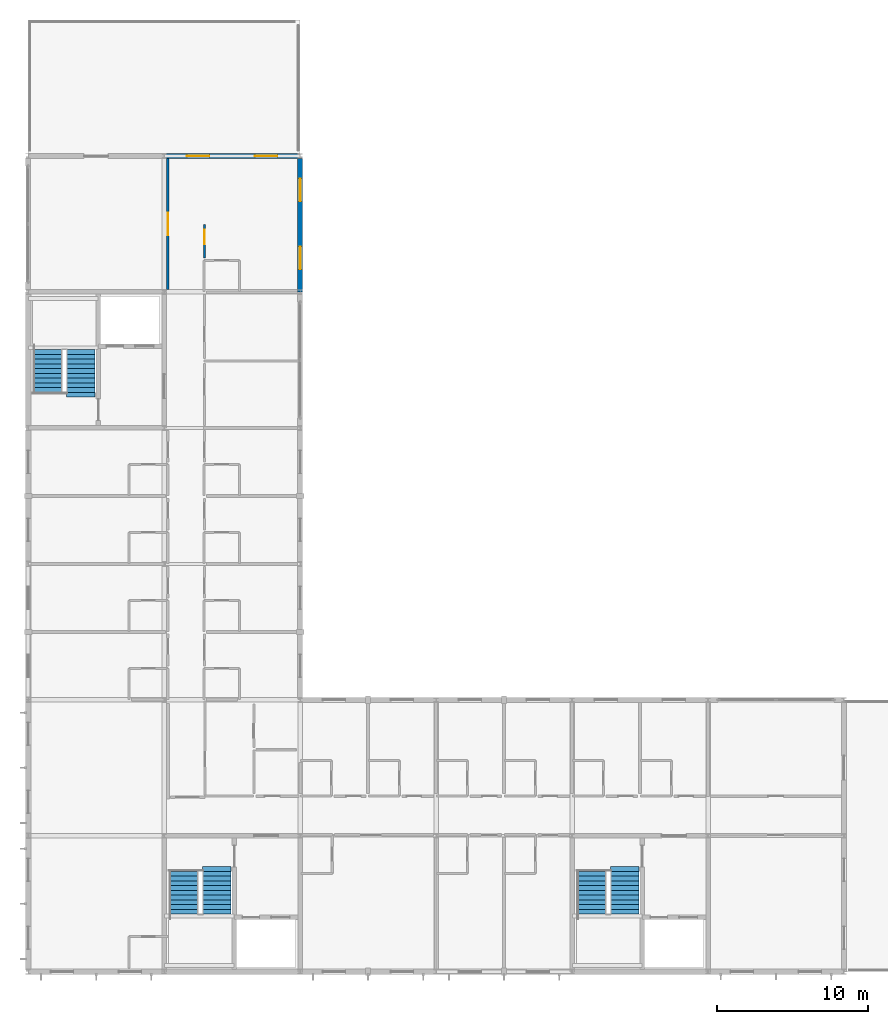
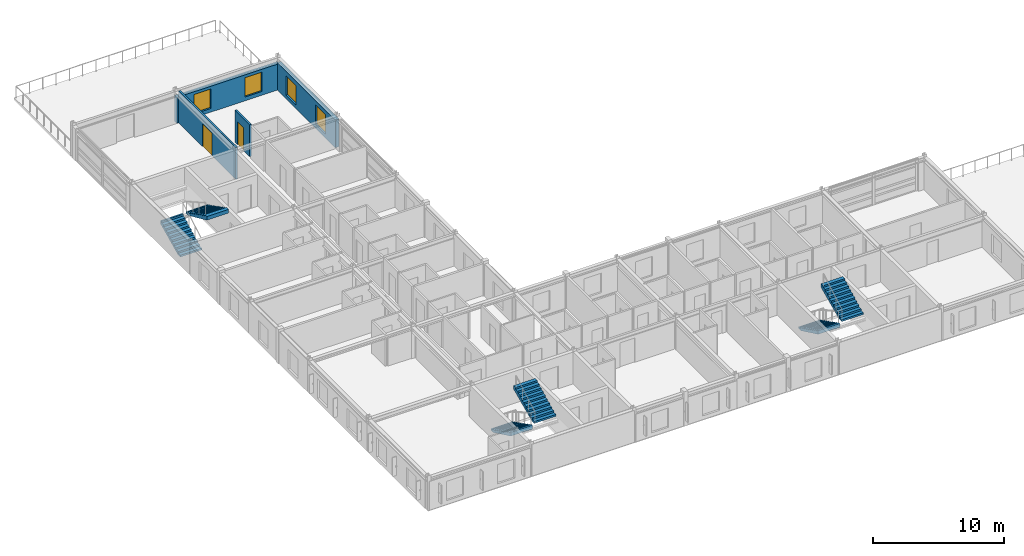
# One storey, part 14 of 18: 6 stair flights, 4 walls, 4 windows, 2 doors, 6 openings, 3 elements without a shape of their own.
"""IFC4 building model written with IfcOpenShell, lengths in metres."""

import ifcopenshell
import ifcopenshell.guid

model = None  # the IFC model being written
_history = None  # IfcOwnerHistory: only IFC2X3 demands one
_inside = {}  # id of a spatial element -> (the spatial element, [elements in it])
_under = {}  # id of a project, library or spatial element -> (it, [spatial elements below it])
_declared = {}  # id of a project -> (the project, [libraries it declares])
_typed = {}  # id of a type object -> (the type object, [elements of that type])
_made_of = {}  # id of a material, layer set ... -> (it, [elements and type objects made of it])


def new_model(schema):
    """Start an empty IFC model of exactly this schema.

    Asked for "IFC4X3", IfcOpenShell would pick the latest addendum, in which some entities
    have other attributes; the version numbers below select the first issue.
    IFC2X3 requires an IfcOwnerHistory on every rooted entity: one is made here for all.
    """
    global model, _history
    if schema == "IFC4X3":
        model = ifcopenshell.file(schema_version=(4, 3, 0, 0))
    else:
        model = ifcopenshell.file(schema=schema)
    _inside.clear()
    _under.clear()
    _declared.clear()
    _typed.clear()
    _made_of.clear()
    _history = None
    if model.schema == "IFC2X3":
        org = make("IfcOrganization", Name="unknown")
        user = make(
            "IfcPersonAndOrganization",
            ThePerson=make("IfcPerson", FamilyName="unknown"),
            TheOrganization=org,
        )
        app = make(
            "IfcApplication",
            ApplicationDeveloper=org,
            Version="unknown",
            ApplicationFullName="unknown",
            ApplicationIdentifier="unknown",
        )
        _history = make(
            "IfcOwnerHistory",
            OwningUser=user,
            OwningApplication=app,
            ChangeAction="ADDED",
            CreationDate=0,
        )
    return model


def make(cls, **values):
    """One entity of the class cls with the attributes given. An attribute that is None is left unset."""
    return model.create_entity(
        cls, **{name: value for name, value in values.items() if value is not None}
    )


def rooted(cls, **values):
    """An entity with a GlobalId (a new one), such as an element, a storey or a relation."""
    return make(cls, GlobalId=ifcopenshell.guid.new(), OwnerHistory=_history, **values)


def si_unit(unit_type, name, prefix=None):
    """IfcSIUnit, for example si_unit("LENGTHUNIT", "METRE", prefix="MILLI")."""
    return make("IfcSIUnit", UnitType=unit_type, Prefix=prefix, Name=name)


def assignment(units):
    """IfcUnitAssignment: the units of a project."""
    return None if units is None else make("IfcUnitAssignment", Units=units)


def point(xyz):
    """IfcCartesianPoint."""
    return None if xyz is None else make("IfcCartesianPoint", Coordinates=xyz)


def direction(xyz):
    """IfcDirection."""
    return None if xyz is None else make("IfcDirection", DirectionRatios=xyz)


def frame(location, z_axis=None, x_axis=None):
    """IfcAxis2Placement3D, a coordinate frame: its origin and axes. An axis left out is left unset."""
    return make(
        "IfcAxis2Placement3D",
        Location=point(location),
        Axis=direction(z_axis),
        RefDirection=direction(x_axis),
    )


def frame_2d(location, x_axis=None):
    """IfcAxis2Placement2D, a coordinate frame in the plane: its origin and x axis."""
    return make(
        "IfcAxis2Placement2D", Location=point(location), RefDirection=direction(x_axis)
    )


def origin():
    """The frame at (0, 0, 0) with its axes left unset."""
    return frame((0.0, 0.0, 0.0))


def place(relative_to, where):
    """IfcLocalPlacement: puts the frame where relative to a parent placement (None: the world)."""
    return make(
        "IfcLocalPlacement", PlacementRelTo=relative_to, RelativePlacement=where
    )


def context(
    kind, dimensions, precision=None, world=None, true_north=None, identifier=None
):
    """IfcGeometricRepresentationContext, for example the 3D "Model" context."""
    return make(
        "IfcGeometricRepresentationContext",
        ContextIdentifier=identifier,
        ContextType=kind,
        CoordinateSpaceDimension=dimensions,
        Precision=precision,
        WorldCoordinateSystem=world,
        TrueNorth=true_north,
    )


def subcontext(parent, identifier, kind, view, scale=None):
    """IfcGeometricRepresentationSubContext, for example "Body" below "Model"."""
    return make(
        "IfcGeometricRepresentationSubContext",
        ContextIdentifier=identifier,
        ContextType=kind,
        ParentContext=parent,
        TargetScale=scale,
        TargetView=view,
    )


def project(units=None, contexts=None):
    """IfcProject with its units and contexts."""
    return rooted(
        "IfcProject",
        Name="project",
        RepresentationContexts=contexts,
        UnitsInContext=assignment(units),
    )


def spatial(cls, under=None, at=None, **own):
    """A site, building, storey or space (cls), placed at a placement, below another one or the project."""
    s = rooted(cls, ObjectPlacement=at, **own)
    if under is not None:
        _under.setdefault(under.id(), (under, []))[1].append(s)
    return s


def polyline(points):
    """IfcPolyline through the points."""
    return make("IfcPolyline", Points=[point(p) for p in points])


def profile(cls, at=None, kind="AREA", **sizes):
    """A parametric profile (cls). Its sizes go by their IFC names, for example OverallWidth=200.0."""
    return make(cls, ProfileType=kind, Position=at, **sizes)


def rectangle(**sizes):
    """IfcRectangleProfileDef."""
    return profile("IfcRectangleProfileDef", **sizes)


def outline(outer, holes=None, kind="AREA"):
    """IfcArbitraryClosedProfileDef: a profile drawn as a closed curve; with holes, ...WithVoids."""
    if holes is None:
        return make("IfcArbitraryClosedProfileDef", ProfileType=kind, OuterCurve=outer)
    return make(
        "IfcArbitraryProfileDefWithVoids",
        ProfileType=kind,
        OuterCurve=outer,
        InnerCurves=holes,
    )


def extrude(swept, where, along, depth):
    """IfcExtrudedAreaSolid: the profile swept, set in the frame where, extruded along a direction by depth."""
    return make(
        "IfcExtrudedAreaSolid",
        SweptArea=swept,
        Position=where,
        ExtrudedDirection=direction(along),
        Depth=depth,
    )


def shape(context_of_items, identifier, shape_type, items):
    """IfcShapeRepresentation: the items that make up one representation, for example the "Body"."""
    return make(
        "IfcShapeRepresentation",
        ContextOfItems=context_of_items,
        RepresentationIdentifier=identifier,
        RepresentationType=shape_type,
        Items=items,
    )


def material(Name=None, Category=None):
    """IfcMaterial."""
    return make("IfcMaterial", Name=Name, Category=Category)


def layer(
    of_material, thickness, ventilated=None, Name=None, Category=None, Priority=None
):
    """IfcMaterialLayer: one layer of a wall or slab, of a material (None: an air gap)."""
    return make(
        "IfcMaterialLayer",
        Material=of_material,
        LayerThickness=thickness,
        IsVentilated=ventilated,
        Name=Name,
        Category=Category,
        Priority=Priority,
    )


def layer_set(layers, Name=None):
    """IfcMaterialLayerSet."""
    return make("IfcMaterialLayerSet", MaterialLayers=layers, LayerSetName=Name)


def made_of(thing, what):
    """Note that an element or type object is made of a material, layer set ...; save() writes the relation."""
    if what is not None:
        _made_of.setdefault(what.id(), (what, []))[1].append(thing)
    return thing


def type_object(cls, material=None, **own):
    """A type object (cls), such as IfcWallType, which elements share."""
    return made_of(rooted(cls, **own), material)


def element(
    cls,
    number,
    at=None,
    inside=None,
    cuts=None,
    type_object=None,
    material=None,
    context=None,
    identifier="Body",
    shape_type=None,
    held_by="IfcProductDefinitionShape",
    body=None,
    shapes=None,
    **own,
):
    """One element of the class cls, such as IfcWall. Its Tag is "e" and its number.

    at: its placement. inside: the storey or other place that contains it. cuts: it is an
    opening in that element (IfcRelVoidsElement). A single representation is given by context,
    identifier, shape_type and body (its items); several are given by shapes. held_by: the class
    of the entity that holds the representations. save() writes the other relations.
    """
    e = rooted(cls, Tag="e%d" % number, ObjectPlacement=at, **own)
    if body is not None:
        shapes = [shape(context, identifier, shape_type, body)]
    if shapes is not None:
        e.Representation = make(held_by, Representations=shapes)
    if inside is not None:
        _inside.setdefault(inside.id(), (inside, []))[1].append(e)
    if cuts is not None:
        rooted(
            "IfcRelVoidsElement", RelatingBuildingElement=cuts, RelatedOpeningElement=e
        )
    if type_object is not None:
        _typed.setdefault(type_object.id(), (type_object, []))[1].append(e)
    return made_of(e, material)


def fill(opening, filler):
    """IfcRelFillsElement: the door or window that sits in an opening."""
    return rooted(
        "IfcRelFillsElement",
        RelatingOpeningElement=opening,
        RelatedBuildingElement=filler,
    )


def aggregate(whole, parts):
    """IfcRelAggregates: a whole, such as a stair, and the parts it consists of."""
    return rooted("IfcRelAggregates", RelatingObject=whole, RelatedObjects=parts)


def save(model, path):
    """Write the relations noted so far, then the file.

    IfcRelAggregates (storeys below a building ...), IfcRelContainedInSpatialStructure (elements
    in a storey), IfcRelDefinesByType, IfcRelAssociatesMaterial and IfcRelDeclares: one each for
    every whole, place, type object, material and project.
    """
    for whole, parts in _under.values():
        aggregate(whole, parts)
    for where, things in _inside.values():
        rooted(
            "IfcRelContainedInSpatialStructure",
            RelatedElements=things,
            RelatingStructure=where,
        )
    for kind, things in _typed.values():
        rooted("IfcRelDefinesByType", RelatedObjects=things, RelatingType=kind)
    for what, things in _made_of.values():
        rooted("IfcRelAssociatesMaterial", RelatedObjects=things, RelatingMaterial=what)
    for by, libraries in _declared.values():
        rooted("IfcRelDeclares", RelatingContext=by, RelatedDefinitions=libraries)
    model.write(path)


model = new_model("IFC4")

# Units and contexts
model_context = context("Model", 3, precision=1e-05, world=origin(), true_north=direction((0.0, 1.0)))
body_context = subcontext(model_context, "Body", "Model", "MODEL_VIEW")
ifc_project = project(units=[si_unit("LENGTHUNIT", "METRE"), si_unit("AREAUNIT", "SQUARE_METRE"), si_unit("VOLUMEUNIT", "CUBIC_METRE"), si_unit("PLANEANGLEUNIT", "RADIAN"), si_unit("MASSUNIT", "GRAM", prefix="KILO")], contexts=[model_context])

# Site, building, storey
site_placement = place(None, origin())
site = spatial("IfcSite", under=ifc_project, at=site_placement, CompositionType="ELEMENT")
building_placement = place(site_placement, origin())
building = spatial("IfcBuilding", under=site, at=building_placement, Name="Palais des Congres Ocreval", CompositionType="ELEMENT")
storey_placement = place(building_placement, frame((0.0, 0.0, 23.679931640625)))
storey = spatial("IfcBuildingStorey", under=building, at=storey_placement, Name="L07", CompositionType="ELEMENT", Elevation=23.679931640625)

# Wall, opening, door
ifc_material_1 = material(Name="Gypsum acoustic partition")
ifc_layer_1 = layer(ifc_material_1, 0.159912109375)
ifc_layer_set_1 = layer_set([ifc_layer_1], Name="Corridor Fire Partition 160 Gypsum (Gypsum acoustic partition)")
wall_type_1 = type_object("IfcWallType", Name="Corridor Fire Partition 160 Gypsum", PredefinedType="PARTITIONING", material=ifc_layer_set_1)
wall_1_placement = place(storey_placement, frame((9.25, 45.155029296875, 0.0), z_axis=(0.0, 0.0, 1.0), x_axis=(0.0, 1.0, 0.0)))
wall_1 = element("IfcWall", 1, at=wall_1_placement, inside=storey, type_object=wall_type_1, Name="Interior Partition IW03 L07", PredefinedType="PARTITIONING", context=body_context, shape_type="SweptSolid", body=[
    extrude(rectangle(XDim=8.669921875, YDim=0.159912109375, at=frame_2d((4.3349609375, 0.0))), origin(), (0.0, 0.0, 1.0), 2.9599609375),
])
opening_1_placement = place(wall_1_placement, frame((3.5849609375, 0.0, 0.0)))
opening_1 = element("IfcOpeningElement", 2, at=opening_1_placement, cuts=wall_1, Name="Opening D04", PredefinedType="OPENING", context=body_context, shape_type="SweptSolid", body=[
    extrude(rectangle(XDim=1.5, YDim=2.10009765625, at=frame_2d((0.75, 1.050048828125))), frame((0.0, 0.08984375, 0.0), z_axis=(0.0, -1.0, 0.0), x_axis=(1.0, 0.0, 0.0)), (0.0, 0.0, 1.0), 0.179931640625),
])
ifc_material_2 = material(Name="Solid French oak fire door", Category="wood")
door_type_1 = type_object("IfcDoorType", Name="Corridor Compartment Double Door 1500x2100", OperationType="NOTDEFINED", PredefinedType="DOOR", material=ifc_material_2)
door_1_placement = place(opening_1_placement, origin())
door_1 = element("IfcDoor", 3, at=door_1_placement, inside=storey, type_object=door_type_1, Name="Interior Door D04 L07", OperationType="DOUBLE_DOOR_SINGLE_SWING", OverallHeight=2.10009765625, OverallWidth=1.5, PredefinedType="DOOR", context=body_context, shape_type="SweptSolid", body=[
    extrude(rectangle(XDim=1.5, YDim=2.10009765625, at=frame_2d((0.75, 1.050048828125))), frame((0.0, 0.02490234375, 0.0), z_axis=(0.0, -1.0, 0.0), x_axis=(1.0, 0.0, 0.0)), (0.0, 0.0, 1.0), 0.050048828125),
])
fill(opening_1, door_1)

wall_2_placement = place(storey_placement, frame((11.669921875, 47.235107421875, 0.0), z_axis=(0.0, 0.0, 1.0), x_axis=(0.0, 1.0, 0.0)))
wall_2 = element("IfcWall", 4, at=wall_2_placement, inside=storey, type_object=wall_type_1, Name="Interior Partition IW03 L07", PredefinedType="PARTITIONING", context=body_context, shape_type="SweptSolid", body=[
    extrude(rectangle(XDim=2.244873046875, YDim=0.159912109375, at=frame_2d((1.12255859375, 0.0))), origin(), (0.0, 0.0, 1.0), 2.9599609375),
])
opening_2_placement = place(wall_2_placement, frame((0.9169921875, 0.0, 0.0)))
opening_2 = element("IfcOpeningElement", 5, at=opening_2_placement, cuts=wall_2, Name="Opening D05", PredefinedType="OPENING", context=body_context, shape_type="SweptSolid", body=[
    extrude(rectangle(XDim=0.949951171875, YDim=2.14990234375, at=frame_2d((0.47509765625, 1.074951171875))), frame((0.0, 0.08984375, 0.0), z_axis=(0.0, -1.0, 0.0), x_axis=(1.0, 0.0, 0.0)), (0.0, 0.0, 1.0), 0.179931640625),
])
ifc_material_3 = material(Name="Solid French oak", Category="wood")
door_type_2 = type_object("IfcDoorType", Name="Hotel Guestroom Entrance Door 950x2150", OperationType="NOTDEFINED", PredefinedType="DOOR", material=ifc_material_3)
door_2_placement = place(opening_2_placement, origin())
door_2 = element("IfcDoor", 6, at=door_2_placement, inside=storey, type_object=door_type_2, Name="Interior Door D05 L07", OperationType="SINGLE_SWING_LEFT", OverallHeight=2.14990234375, OverallWidth=0.949951171875, PredefinedType="DOOR", context=body_context, shape_type="SweptSolid", body=[
    extrude(rectangle(XDim=0.949951171875, YDim=2.14990234375, at=frame_2d((0.47509765625, 1.074951171875))), frame((0.0, 0.02490234375, 0.0), z_axis=(0.0, -1.0, 0.0), x_axis=(1.0, 0.0, 0.0)), (0.0, 0.0, 1.0), 0.050048828125),
])
fill(opening_2, door_2)

# Wall, openings, windows
ifc_material_4 = material(Name="Concrete C40/50", Category="concrete")
ifc_layer_2 = layer(ifc_material_4, 0.340087890625)
ifc_layer_set_2 = layer_set([ifc_layer_2], Name="Ochre Mineral-Lime Courtyard Wall 340 Concrete C40/50")
wall_type_2 = type_object("IfcWallType", Name="Ochre Mineral-Lime Courtyard Wall 340 Concrete C40/50", PredefinedType="SOLIDWALL", material=ifc_layer_set_2)
wall_3_placement = place(storey_placement, frame((9.0, 54.0, 0.0), z_axis=(0.0, 0.0, 1.0), x_axis=(1.0, 0.0, 0.0)))
wall_3 = element("IfcWall", 7, at=wall_3_placement, inside=storey, type_object=wall_type_2, Name="Exterior Wall EW04 L07", PredefinedType="SOLIDWALL", context=body_context, shape_type="SweptSolid", body=[
    extrude(rectangle(XDim=9.0, YDim=0.340087890625, at=frame_2d((4.5, 0.0))), origin(), (0.0, 0.0, 1.0), 2.41015625),
])
opening_3_placement = place(wall_3_placement, frame((1.5, 0.0, 0.35009765625)))
opening_3 = element("IfcOpeningElement", 8, at=opening_3_placement, cuts=wall_3, Name="Opening WN06", PredefinedType="OPENING", context=body_context, shape_type="SweptSolid", body=[
    extrude(rectangle(XDim=1.5, YDim=1.800048828125, at=frame_2d((0.75, 0.89990234375))), frame((0.0, 0.179931640625, 0.0), z_axis=(0.0, -1.0, 0.0), x_axis=(1.0, 0.0, 0.0)), (0.0, 0.0, 1.0), 0.360107421875),
])
opening_4_placement = place(wall_3_placement, frame((6.0, 0.0, 0.35009765625)))
opening_4 = element("IfcOpeningElement", 9, at=opening_4_placement, cuts=wall_3, Name="Opening WN06", PredefinedType="OPENING", context=body_context, shape_type="SweptSolid", body=[
    extrude(rectangle(XDim=1.5, YDim=1.800048828125, at=frame_2d((0.75, 0.89990234375))), frame((0.0, 0.179931640625, 0.0), z_axis=(0.0, -1.0, 0.0), x_axis=(1.0, 0.0, 0.0)), (0.0, 0.0, 1.0), 0.360107421875),
])
ifc_material_5 = material(Name="Anodized bronze aluminium and low-E glass", Category="glass")
window_type = type_object("IfcWindowType", Name="Upper Setback Window 1500x1800", PartitioningType="SINGLE_PANEL", PredefinedType="WINDOW", material=ifc_material_5)
window_1_placement = place(opening_3_placement, origin())
window_1 = element("IfcWindow", 10, at=window_1_placement, inside=storey, type_object=window_type, Name="Hotel Facade Window WN06", OverallHeight=1.800048828125, OverallWidth=1.5, PartitioningType="SINGLE_PANEL", PredefinedType="WINDOW", context=body_context, shape_type="SweptSolid", body=[
    extrude(rectangle(XDim=1.5, YDim=1.800048828125, at=frame_2d((0.75, 0.89990234375))), frame((0.0, 0.030029296875, 0.0), z_axis=(0.0, -1.0, 0.0), x_axis=(1.0, 0.0, 0.0)), (0.0, 0.0, 1.0), 0.06005859375),
])
fill(opening_3, window_1)
window_2_placement = place(opening_4_placement, origin())
window_2 = element("IfcWindow", 11, at=window_2_placement, inside=storey, type_object=window_type, Name="Hotel Facade Window WN06", OverallHeight=1.800048828125, OverallWidth=1.5, PartitioningType="SINGLE_PANEL", PredefinedType="WINDOW", context=body_context, shape_type="SweptSolid", body=[
    extrude(rectangle(XDim=1.5, YDim=1.800048828125, at=frame_2d((0.75, 0.89990234375))), frame((0.0, 0.030029296875, 0.0), z_axis=(0.0, -1.0, 0.0), x_axis=(1.0, 0.0, 0.0)), (0.0, 0.0, 1.0), 0.06005859375),
])
fill(opening_4, window_2)

wall_4_placement = place(storey_placement, frame((18.0, 53.844970703125, 0.0), z_axis=(0.0, 0.0, 1.0), x_axis=(0.0, -1.0, 0.0)))
wall_4 = element("IfcWall", 12, at=wall_4_placement, inside=storey, type_object=wall_type_2, Name="Exterior Wall EW04 L07", PredefinedType="SOLIDWALL", context=body_context, shape_type="SweptSolid", body=[
    extrude(rectangle(XDim=8.844970703125, YDim=0.340087890625, at=frame_2d((4.42236328125, 0.0))), origin(), (0.0, 0.0, 1.0), 2.56005859375),
])
opening_5_placement = place(wall_4_placement, frame((1.344970703125, 0.0, 0.35009765625)))
opening_5 = element("IfcOpeningElement", 13, at=opening_5_placement, cuts=wall_4, Name="Opening WN06", PredefinedType="OPENING", context=body_context, shape_type="SweptSolid", body=[
    extrude(rectangle(XDim=1.5, YDim=1.800048828125, at=frame_2d((0.75, 0.89990234375))), frame((0.0, 0.179931640625, 0.0), z_axis=(0.0, -1.0, 0.0), x_axis=(1.0, 0.0, 0.0)), (0.0, 0.0, 1.0), 0.360107421875),
])
opening_6_placement = place(wall_4_placement, frame((5.844970703125, 0.0, 0.35009765625)))
opening_6 = element("IfcOpeningElement", 14, at=opening_6_placement, cuts=wall_4, Name="Opening WN06", PredefinedType="OPENING", context=body_context, shape_type="SweptSolid", body=[
    extrude(rectangle(XDim=1.5, YDim=1.800048828125, at=frame_2d((0.75, 0.89990234375))), frame((0.0, 0.179931640625, 0.0), z_axis=(0.0, -1.0, 0.0), x_axis=(1.0, 0.0, 0.0)), (0.0, 0.0, 1.0), 0.360107421875),
])
window_3_placement = place(opening_5_placement, origin())
window_3 = element("IfcWindow", 15, at=window_3_placement, inside=storey, type_object=window_type, Name="Hotel Facade Window WN06", OverallHeight=1.800048828125, OverallWidth=1.5, PartitioningType="SINGLE_PANEL", PredefinedType="WINDOW", context=body_context, shape_type="SweptSolid", body=[
    extrude(rectangle(XDim=1.5, YDim=1.800048828125, at=frame_2d((0.75, 0.89990234375))), frame((0.0, 0.030029296875, 0.0), z_axis=(0.0, -1.0, 0.0), x_axis=(1.0, 0.0, 0.0)), (0.0, 0.0, 1.0), 0.06005859375),
])
fill(opening_5, window_3)
window_4_placement = place(opening_6_placement, origin())
window_4 = element("IfcWindow", 16, at=window_4_placement, inside=storey, type_object=window_type, Name="Hotel Facade Window WN06", OverallHeight=1.800048828125, OverallWidth=1.5, PartitioningType="SINGLE_PANEL", PredefinedType="WINDOW", context=body_context, shape_type="SweptSolid", body=[
    extrude(rectangle(XDim=1.5, YDim=1.800048828125, at=frame_2d((0.75, 0.89990234375))), frame((0.0, 0.030029296875, 0.0), z_axis=(0.0, -1.0, 0.0), x_axis=(1.0, 0.0, 0.0)), (0.0, 0.0, 1.0), 0.06005859375),
])
fill(opening_6, window_4)

# Stair, stair flights
stair_type = type_object("IfcStairType", Name="Hotel Upper Stair L07 1900 Concrete C40/50", PredefinedType="HALF_TURN_STAIR", material=ifc_material_4)
stair_1_placement = place(storey_placement, origin())
stair_1 = element("IfcStair", 17, at=stair_1_placement, inside=storey, type_object=stair_type, Name="Protected Core Stair ST01 L07", PredefinedType="HALF_TURN_STAIR")
stair_flight_type = type_object("IfcStairFlightType", Name="Hotel Stair Flight 10R x 160/285 W1900 Concrete C40/50", PredefinedType="STRAIGHT", material=ifc_material_4)
stair_flight_1_placement = place(storey_placement, frame((10.320068359375, 6.64990234375, 0.0), z_axis=(0.0, 0.0, 1.0), x_axis=(0.0, -1.0, 0.0)))
stair_flight_1 = element("IfcStairFlight", 18, at=stair_flight_1_placement, type_object=stair_flight_type, Name="Stair ST01 L07 Flight 1", NumberOfRisers=10, NumberOfTreads=9, PredefinedType="STRAIGHT", RiserHeight=0.16, TreadLength=0.315, context=body_context, shape_type="SweptSolid", body=[
    extrude(outline(polyline([(-0.006103515625, 0.0), (-0.006103515625, 0.080078125), (0.0, 0.159912109375), (0.31494140625, 0.159912109375), (0.31494140625, 0.320068359375), (0.6298828125, 0.320068359375), (0.6298828125, 0.47998046875), (0.945068359375, 0.47998046875), (0.945068359375, 0.639892578125), (1.260009765625, 0.639892578125), (1.260009765625, 0.800048828125), (1.574951171875, 0.800048828125), (1.574951171875, 0.9599609375), (1.889892578125, 0.9599609375), (1.889892578125, 1.1201171875), (2.205078125, 1.1201171875), (2.205078125, 1.280029296875), (2.52001953125, 1.280029296875), (2.52001953125, 1.43994140625), (2.8349609375, 1.43994140625), (2.8349609375, 1.60009765625), (2.9951171875, 1.60009765625), (2.9951171875, 1.2607421875), (0.35302734375, 0.0), (-0.006103515625, 0.0)])), frame((0.0, 0.949951171875, 0.0), z_axis=(0.0, -1.0, 0.0), x_axis=(1.0, 0.0, 0.0)), (0.0, 0.0, 1.0), 1.89990234375),
])
stair_flight_2_placement = place(storey_placement, frame((12.47998046875, 3.81494140625, 1.60009765625), z_axis=(0.0, 0.0, 1.0), x_axis=(0.0, 1.0, 0.0)))
stair_flight_2 = element("IfcStairFlight", 19, at=stair_flight_2_placement, type_object=stair_flight_type, Name="Stair ST01 L07 Flight 2", NumberOfRisers=10, NumberOfTreads=9, PredefinedType="STRAIGHT", RiserHeight=0.16, TreadLength=0.315, context=body_context, shape_type="SweptSolid", body=[
    extrude(outline(polyline([(-0.006103515625, 0.0), (-0.006103515625, 0.080078125), (0.0, 0.159912109375), (0.31494140625, 0.159912109375), (0.31494140625, 0.320068359375), (0.6298828125, 0.320068359375), (0.6298828125, 0.47998046875), (0.945068359375, 0.47998046875), (0.945068359375, 0.639892578125), (1.260009765625, 0.639892578125), (1.260009765625, 0.800048828125), (1.574951171875, 0.800048828125), (1.574951171875, 0.9599609375), (1.889892578125, 0.9599609375), (1.889892578125, 1.1201171875), (2.205078125, 1.1201171875), (2.205078125, 1.280029296875), (2.52001953125, 1.280029296875), (2.52001953125, 1.43994140625), (2.8349609375, 1.43994140625), (2.8349609375, 1.60009765625), (3.14990234375, 1.60009765625), (3.14990234375, 1.2607421875), (0.35302734375, 0.0), (-0.006103515625, 0.0)])), frame((0.0, 0.949951171875, 0.0), z_axis=(0.0, -1.0, 0.0), x_axis=(1.0, 0.0, 0.0)), (0.0, 0.0, 1.0), 1.89990234375),
])
aggregate(stair_1, [stair_flight_1, stair_flight_2])

stair_2_placement = place(storey_placement, origin())
stair_2 = element("IfcStair", 20, at=stair_2_placement, inside=storey, type_object=stair_type, Name="Protected Core Stair ST02 L07", PredefinedType="HALF_TURN_STAIR")
stair_flight_3_placement = place(storey_placement, frame((37.320068359375, 6.64990234375, 0.0), z_axis=(0.0, 0.0, 1.0), x_axis=(0.0, -1.0, 0.0)))
stair_flight_3 = element("IfcStairFlight", 21, at=stair_flight_3_placement, type_object=stair_flight_type, Name="Stair ST02 L07 Flight 1", NumberOfRisers=10, NumberOfTreads=9, PredefinedType="STRAIGHT", RiserHeight=0.16, TreadLength=0.315, context=body_context, shape_type="SweptSolid", body=[
    extrude(outline(polyline([(-0.006103515625, 0.0), (-0.006103515625, 0.080078125), (0.0, 0.159912109375), (0.31494140625, 0.159912109375), (0.31494140625, 0.320068359375), (0.6298828125, 0.320068359375), (0.6298828125, 0.47998046875), (0.945068359375, 0.47998046875), (0.945068359375, 0.639892578125), (1.260009765625, 0.639892578125), (1.260009765625, 0.800048828125), (1.574951171875, 0.800048828125), (1.574951171875, 0.9599609375), (1.889892578125, 0.9599609375), (1.889892578125, 1.1201171875), (2.205078125, 1.1201171875), (2.205078125, 1.280029296875), (2.52001953125, 1.280029296875), (2.52001953125, 1.43994140625), (2.8349609375, 1.43994140625), (2.8349609375, 1.60009765625), (2.9951171875, 1.60009765625), (2.9951171875, 1.2607421875), (0.35302734375, 0.0), (-0.006103515625, 0.0)])), frame((0.0, 0.949951171875, 0.0), z_axis=(0.0, -1.0, 0.0), x_axis=(1.0, 0.0, 0.0)), (0.0, 0.0, 1.0), 1.89990234375),
])
stair_flight_4_placement = place(storey_placement, frame((39.47998046875, 3.81494140625, 1.60009765625), z_axis=(0.0, 0.0, 1.0), x_axis=(0.0, 1.0, 0.0)))
stair_flight_4 = element("IfcStairFlight", 22, at=stair_flight_4_placement, type_object=stair_flight_type, Name="Stair ST02 L07 Flight 2", NumberOfRisers=10, NumberOfTreads=9, PredefinedType="STRAIGHT", RiserHeight=0.16, TreadLength=0.315, context=body_context, shape_type="SweptSolid", body=[
    extrude(outline(polyline([(-0.006103515625, 0.0), (-0.006103515625, 0.080078125), (0.0, 0.159912109375), (0.31494140625, 0.159912109375), (0.31494140625, 0.320068359375), (0.6298828125, 0.320068359375), (0.6298828125, 0.47998046875), (0.945068359375, 0.47998046875), (0.945068359375, 0.639892578125), (1.260009765625, 0.639892578125), (1.260009765625, 0.800048828125), (1.574951171875, 0.800048828125), (1.574951171875, 0.9599609375), (1.889892578125, 0.9599609375), (1.889892578125, 1.1201171875), (2.205078125, 1.1201171875), (2.205078125, 1.280029296875), (2.52001953125, 1.280029296875), (2.52001953125, 1.43994140625), (2.8349609375, 1.43994140625), (2.8349609375, 1.60009765625), (3.14990234375, 1.60009765625), (3.14990234375, 1.2607421875), (0.35302734375, 0.0), (-0.006103515625, 0.0)])), frame((0.0, 0.949951171875, 0.0), z_axis=(0.0, -1.0, 0.0), x_axis=(1.0, 0.0, 0.0)), (0.0, 0.0, 1.0), 1.89990234375),
])
aggregate(stair_2, [stair_flight_3, stair_flight_4])

stair_3_placement = place(storey_placement, origin())
stair_3 = element("IfcStair", 23, at=stair_3_placement, inside=storey, type_object=stair_type, Name="Protected Core Stair ST03 L07", PredefinedType="HALF_TURN_STAIR")
stair_flight_5_placement = place(storey_placement, frame((1.320068359375, 38.35009765625, 0.0), z_axis=(0.0, 0.0, 1.0), x_axis=(0.0, 1.0, 0.0)))
stair_flight_5 = element("IfcStairFlight", 24, at=stair_flight_5_placement, type_object=stair_flight_type, Name="Stair ST03 L07 Flight 1", NumberOfRisers=10, NumberOfTreads=9, PredefinedType="STRAIGHT", RiserHeight=0.16, TreadLength=0.315, context=body_context, shape_type="SweptSolid", body=[
    extrude(outline(polyline([(-0.006103515625, 0.0), (-0.006103515625, 0.080078125), (0.0, 0.159912109375), (0.31494140625, 0.159912109375), (0.31494140625, 0.320068359375), (0.6298828125, 0.320068359375), (0.6298828125, 0.47998046875), (0.945068359375, 0.47998046875), (0.945068359375, 0.639892578125), (1.260009765625, 0.639892578125), (1.260009765625, 0.800048828125), (1.574951171875, 0.800048828125), (1.574951171875, 0.9599609375), (1.889892578125, 0.9599609375), (1.889892578125, 1.1201171875), (2.205078125, 1.1201171875), (2.205078125, 1.280029296875), (2.52001953125, 1.280029296875), (2.52001953125, 1.43994140625), (2.8349609375, 1.43994140625), (2.8349609375, 1.60009765625), (2.9951171875, 1.60009765625), (2.9951171875, 1.2607421875), (0.35302734375, 0.0), (-0.006103515625, 0.0)])), frame((0.0, 0.949951171875, 0.0), z_axis=(0.0, -1.0, 0.0), x_axis=(1.0, 0.0, 0.0)), (0.0, 0.0, 1.0), 1.89990234375),
])
stair_flight_6_placement = place(storey_placement, frame((3.47998046875, 41.18505859375, 1.60009765625), z_axis=(0.0, 0.0, 1.0), x_axis=(0.0, -1.0, 0.0)))
stair_flight_6 = element("IfcStairFlight", 25, at=stair_flight_6_placement, type_object=stair_flight_type, Name="Stair ST03 L07 Flight 2", NumberOfRisers=10, NumberOfTreads=9, PredefinedType="STRAIGHT", RiserHeight=0.16, TreadLength=0.315, context=body_context, shape_type="SweptSolid", body=[
    extrude(outline(polyline([(-0.006103515625, 0.0), (-0.006103515625, 0.080078125), (0.0, 0.159912109375), (0.31494140625, 0.159912109375), (0.31494140625, 0.320068359375), (0.6298828125, 0.320068359375), (0.6298828125, 0.47998046875), (0.945068359375, 0.47998046875), (0.945068359375, 0.639892578125), (1.260009765625, 0.639892578125), (1.260009765625, 0.800048828125), (1.574951171875, 0.800048828125), (1.574951171875, 0.9599609375), (1.889892578125, 0.9599609375), (1.889892578125, 1.1201171875), (2.205078125, 1.1201171875), (2.205078125, 1.280029296875), (2.52001953125, 1.280029296875), (2.52001953125, 1.43994140625), (2.8349609375, 1.43994140625), (2.8349609375, 1.60009765625), (3.14990234375, 1.60009765625), (3.14990234375, 1.2607421875), (0.35302734375, 0.0), (-0.006103515625, 0.0)])), frame((0.0, 0.949951171875, 0.0), z_axis=(0.0, -1.0, 0.0), x_axis=(1.0, 0.0, 0.0)), (0.0, 0.0, 1.0), 1.89990234375),
])
aggregate(stair_3, [stair_flight_5, stair_flight_6])

save(model, "model.ifc")
